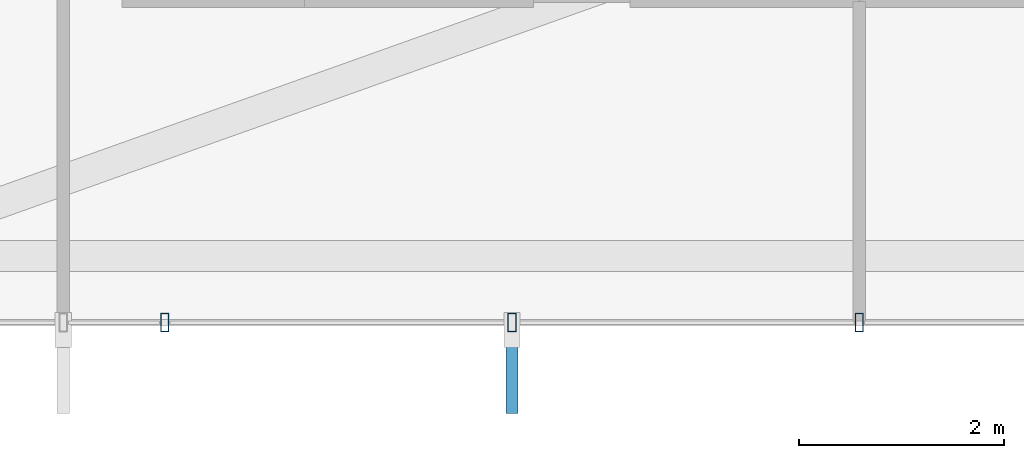
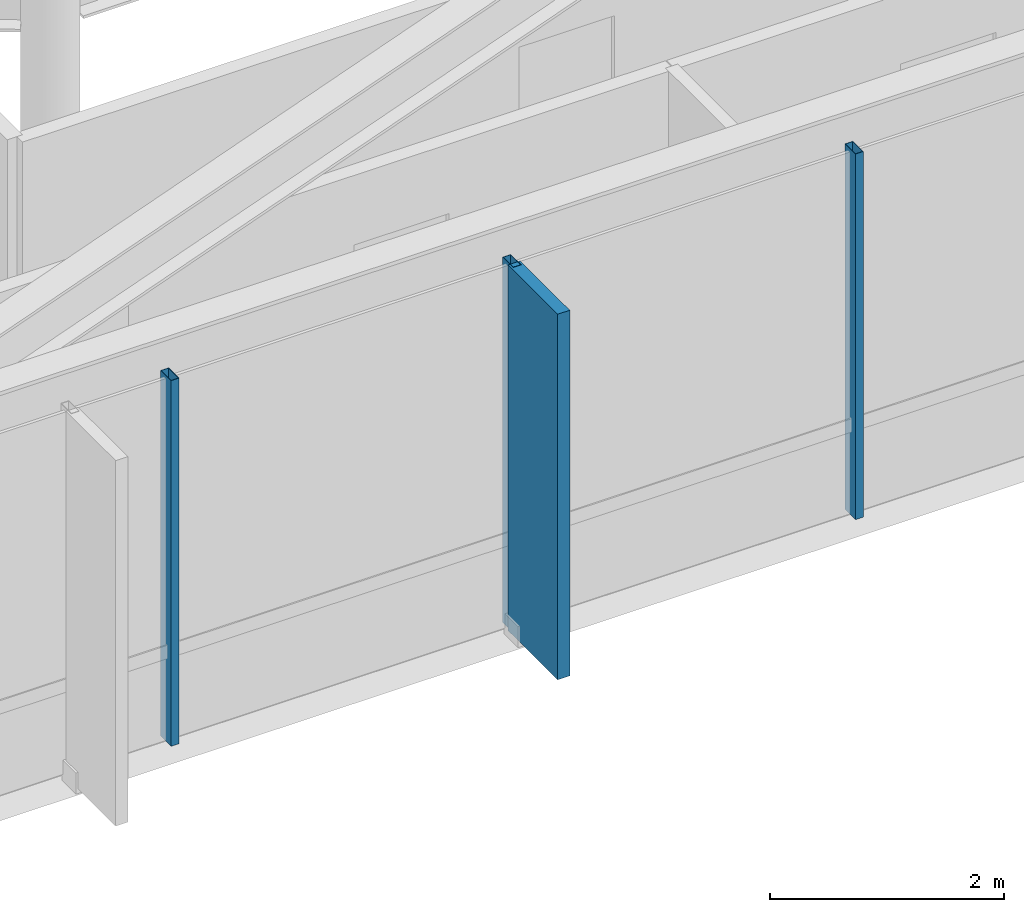
# One storey, part 6 of 24: 4 members, 1 element without a shape of its own.
"""IFC4 building model written with IfcOpenShell, lengths in metres."""

import ifcopenshell
import ifcopenshell.guid

model = None  # the IFC model being written
_history = None  # IfcOwnerHistory: only IFC2X3 demands one
_inside = {}  # id of a spatial element -> (the spatial element, [elements in it])
_under = {}  # id of a project, library or spatial element -> (it, [spatial elements below it])
_declared = {}  # id of a project -> (the project, [libraries it declares])
_typed = {}  # id of a type object -> (the type object, [elements of that type])
_made_of = {}  # id of a material, layer set ... -> (it, [elements and type objects made of it])


def new_model(schema):
    """Start an empty IFC model of exactly this schema.

    Asked for "IFC4X3", IfcOpenShell would pick the latest addendum, in which some entities
    have other attributes; the version numbers below select the first issue.
    IFC2X3 requires an IfcOwnerHistory on every rooted entity: one is made here for all.
    """
    global model, _history
    if schema == "IFC4X3":
        model = ifcopenshell.file(schema_version=(4, 3, 0, 0))
    else:
        model = ifcopenshell.file(schema=schema)
    _inside.clear()
    _under.clear()
    _declared.clear()
    _typed.clear()
    _made_of.clear()
    _history = None
    if model.schema == "IFC2X3":
        org = make("IfcOrganization", Name="unknown")
        user = make(
            "IfcPersonAndOrganization",
            ThePerson=make("IfcPerson", FamilyName="unknown"),
            TheOrganization=org,
        )
        app = make(
            "IfcApplication",
            ApplicationDeveloper=org,
            Version="unknown",
            ApplicationFullName="unknown",
            ApplicationIdentifier="unknown",
        )
        _history = make(
            "IfcOwnerHistory",
            OwningUser=user,
            OwningApplication=app,
            ChangeAction="ADDED",
            CreationDate=0,
        )
    return model


def make(cls, **values):
    """One entity of the class cls with the attributes given. An attribute that is None is left unset."""
    return model.create_entity(
        cls, **{name: value for name, value in values.items() if value is not None}
    )


def rooted(cls, **values):
    """An entity with a GlobalId (a new one), such as an element, a storey or a relation."""
    return make(cls, GlobalId=ifcopenshell.guid.new(), OwnerHistory=_history, **values)


def si_unit(unit_type, name, prefix=None):
    """IfcSIUnit, for example si_unit("LENGTHUNIT", "METRE", prefix="MILLI")."""
    return make("IfcSIUnit", UnitType=unit_type, Prefix=prefix, Name=name)


def assignment(units):
    """IfcUnitAssignment: the units of a project."""
    return None if units is None else make("IfcUnitAssignment", Units=units)


def point(xyz):
    """IfcCartesianPoint."""
    return None if xyz is None else make("IfcCartesianPoint", Coordinates=xyz)


def direction(xyz):
    """IfcDirection."""
    return None if xyz is None else make("IfcDirection", DirectionRatios=xyz)


def frame(location, z_axis=None, x_axis=None):
    """IfcAxis2Placement3D, a coordinate frame: its origin and axes. An axis left out is left unset."""
    return make(
        "IfcAxis2Placement3D",
        Location=point(location),
        Axis=direction(z_axis),
        RefDirection=direction(x_axis),
    )


def frame_2d(location, x_axis=None):
    """IfcAxis2Placement2D, a coordinate frame in the plane: its origin and x axis."""
    return make(
        "IfcAxis2Placement2D", Location=point(location), RefDirection=direction(x_axis)
    )


def origin():
    """The frame at (0, 0, 0) with its axes left unset."""
    return frame((0.0, 0.0, 0.0))


def origin_2d():
    """The frame at (0, 0) in the plane with its x axis left unset."""
    return frame_2d((0.0, 0.0))


def place(relative_to, where):
    """IfcLocalPlacement: puts the frame where relative to a parent placement (None: the world)."""
    return make(
        "IfcLocalPlacement", PlacementRelTo=relative_to, RelativePlacement=where
    )


def context(
    kind, dimensions, precision=None, world=None, true_north=None, identifier=None
):
    """IfcGeometricRepresentationContext, for example the 3D "Model" context."""
    return make(
        "IfcGeometricRepresentationContext",
        ContextIdentifier=identifier,
        ContextType=kind,
        CoordinateSpaceDimension=dimensions,
        Precision=precision,
        WorldCoordinateSystem=world,
        TrueNorth=true_north,
    )


def subcontext(parent, identifier, kind, view, scale=None):
    """IfcGeometricRepresentationSubContext, for example "Body" below "Model"."""
    return make(
        "IfcGeometricRepresentationSubContext",
        ContextIdentifier=identifier,
        ContextType=kind,
        ParentContext=parent,
        TargetScale=scale,
        TargetView=view,
    )


def project(units=None, contexts=None):
    """IfcProject with its units and contexts."""
    return rooted(
        "IfcProject",
        Name="project",
        RepresentationContexts=contexts,
        UnitsInContext=assignment(units),
    )


def spatial(cls, under=None, at=None, **own):
    """A site, building, storey or space (cls), placed at a placement, below another one or the project."""
    s = rooted(cls, ObjectPlacement=at, **own)
    if under is not None:
        _under.setdefault(under.id(), (under, []))[1].append(s)
    return s


def profile(cls, at=None, kind="AREA", **sizes):
    """A parametric profile (cls). Its sizes go by their IFC names, for example OverallWidth=200.0."""
    return make(cls, ProfileType=kind, Position=at, **sizes)


def rectangle(**sizes):
    """IfcRectangleProfileDef."""
    return profile("IfcRectangleProfileDef", **sizes)


def hollow_rectangle(**sizes):
    """IfcRectangleHollowProfileDef."""
    return profile("IfcRectangleHollowProfileDef", **sizes)


def extrude(swept, where, along, depth):
    """IfcExtrudedAreaSolid: the profile swept, set in the frame where, extruded along a direction by depth."""
    return make(
        "IfcExtrudedAreaSolid",
        SweptArea=swept,
        Position=where,
        ExtrudedDirection=direction(along),
        Depth=depth,
    )


def shape(context_of_items, identifier, shape_type, items):
    """IfcShapeRepresentation: the items that make up one representation, for example the "Body"."""
    return make(
        "IfcShapeRepresentation",
        ContextOfItems=context_of_items,
        RepresentationIdentifier=identifier,
        RepresentationType=shape_type,
        Items=items,
    )


def material(Name=None, Category=None):
    """IfcMaterial."""
    return make("IfcMaterial", Name=Name, Category=Category)


def layer(
    of_material, thickness, ventilated=None, Name=None, Category=None, Priority=None
):
    """IfcMaterialLayer: one layer of a wall or slab, of a material (None: an air gap)."""
    return make(
        "IfcMaterialLayer",
        Material=of_material,
        LayerThickness=thickness,
        IsVentilated=ventilated,
        Name=Name,
        Category=Category,
        Priority=Priority,
    )


def layer_set(layers, Name=None):
    """IfcMaterialLayerSet."""
    return make("IfcMaterialLayerSet", MaterialLayers=layers, LayerSetName=Name)


def material_profile(
    of_material, cross_section, Name=None, Category=None, Priority=None
):
    """IfcMaterialProfile: a cross section and its material."""
    return make(
        "IfcMaterialProfile",
        Name=Name,
        Material=of_material,
        Profile=cross_section,
        Priority=Priority,
        Category=Category,
    )


def profile_set(profiles, Name=None, composite=None):
    """IfcMaterialProfileSet."""
    return make(
        "IfcMaterialProfileSet",
        Name=Name,
        MaterialProfiles=profiles,
        CompositeProfile=composite,
    )


def made_of(thing, what):
    """Note that an element or type object is made of a material, layer set ...; save() writes the relation."""
    if what is not None:
        _made_of.setdefault(what.id(), (what, []))[1].append(thing)
    return thing


def type_object(cls, material=None, **own):
    """A type object (cls), such as IfcWallType, which elements share."""
    return made_of(rooted(cls, **own), material)


def element(
    cls,
    number,
    at=None,
    inside=None,
    cuts=None,
    type_object=None,
    material=None,
    context=None,
    identifier="Body",
    shape_type=None,
    held_by="IfcProductDefinitionShape",
    body=None,
    shapes=None,
    **own,
):
    """One element of the class cls, such as IfcWall. Its Tag is "e" and its number.

    at: its placement. inside: the storey or other place that contains it. cuts: it is an
    opening in that element (IfcRelVoidsElement). A single representation is given by context,
    identifier, shape_type and body (its items); several are given by shapes. held_by: the class
    of the entity that holds the representations. save() writes the other relations.
    """
    e = rooted(cls, Tag="e%d" % number, ObjectPlacement=at, **own)
    if body is not None:
        shapes = [shape(context, identifier, shape_type, body)]
    if shapes is not None:
        e.Representation = make(held_by, Representations=shapes)
    if inside is not None:
        _inside.setdefault(inside.id(), (inside, []))[1].append(e)
    if cuts is not None:
        rooted(
            "IfcRelVoidsElement", RelatingBuildingElement=cuts, RelatedOpeningElement=e
        )
    if type_object is not None:
        _typed.setdefault(type_object.id(), (type_object, []))[1].append(e)
    return made_of(e, material)


def aggregate(whole, parts):
    """IfcRelAggregates: a whole, such as a stair, and the parts it consists of."""
    return rooted("IfcRelAggregates", RelatingObject=whole, RelatedObjects=parts)


def save(model, path):
    """Write the relations noted so far, then the file.

    IfcRelAggregates (storeys below a building ...), IfcRelContainedInSpatialStructure (elements
    in a storey), IfcRelDefinesByType, IfcRelAssociatesMaterial and IfcRelDeclares: one each for
    every whole, place, type object, material and project.
    """
    for whole, parts in _under.values():
        aggregate(whole, parts)
    for where, things in _inside.values():
        rooted(
            "IfcRelContainedInSpatialStructure",
            RelatedElements=things,
            RelatingStructure=where,
        )
    for kind, things in _typed.values():
        rooted("IfcRelDefinesByType", RelatedObjects=things, RelatingType=kind)
    for what, things in _made_of.values():
        rooted("IfcRelAssociatesMaterial", RelatedObjects=things, RelatingMaterial=what)
    for by, libraries in _declared.values():
        rooted("IfcRelDeclares", RelatingContext=by, RelatedDefinitions=libraries)
    model.write(path)


model = new_model("IFC4")

# Units and contexts
model_context = context("Model", 3, precision=1e-05, world=origin(), true_north=direction((0.0, 1.0)))
body_context = subcontext(model_context, "Body", "Model", "MODEL_VIEW")
ifc_project = project(units=[si_unit("LENGTHUNIT", "METRE"), si_unit("AREAUNIT", "SQUARE_METRE"), si_unit("VOLUMEUNIT", "CUBIC_METRE"), si_unit("PLANEANGLEUNIT", "RADIAN"), si_unit("MASSUNIT", "GRAM", prefix="KILO")], contexts=[model_context])

# Site, building, storey
site_placement = place(None, origin())
site = spatial("IfcSite", under=ifc_project, at=site_placement, CompositionType="ELEMENT")
building_placement = place(site_placement, origin())
building = spatial("IfcBuilding", under=site, at=building_placement, Name="Zarrinselat Tower", CompositionType="ELEMENT")
storey_placement = place(building_placement, frame((0.0, 0.0, 72.419921875)))
storey = spatial("IfcBuildingStorey", under=building, at=storey_placement, Name="L17", CompositionType="ELEMENT", Elevation=72.419921875)

# Curtain wall, members
ifc_material_1 = material(Name="Extruded Aluminium Alloy EN AW-6063 T6", Category="aluminium")
ifc_layer = layer(ifc_material_1, 0.18505859375)
ifc_layer_set = layer_set([ifc_layer], Name="Extruded Aluminium Alloy EN AW-6063 T6")
curtain_wall_type = type_object("IfcCurtainWallType", Name="CWS-OFF", PredefinedType="NOTDEFINED", material=ifc_layer_set)
curtain_wall_placement = place(storey_placement, origin())
curtain_wall = element("IfcCurtainWall", 1, at=curtain_wall_placement, inside=storey, type_object=curtain_wall_type, Name="L17 Unitised Curtain Wall CW-L17-E04", PredefinedType="NOTDEFINED")
ifc_material_2 = material(Name="Extruded Aluminium Alloy EN AW-6063 T6", Category="aluminium")
ifc_material_profile_1 = material_profile(ifc_material_2, hollow_rectangle(XDim=0.080078125, YDim=0.179931640625, WallThickness=0.0048828125, at=origin_2d()), Name="RHS 180x80x5")
ifc_profile_set_1 = profile_set([ifc_material_profile_1], Name="Extruded Aluminium Alloy EN AW-6063 T6")
member_type_1 = type_object("IfcMemberType", Name="MEM-CW-MUL", PredefinedType="MULLION", material=ifc_profile_set_1)
member_1_placement = place(storey_placement, frame((31.636474609375, 18.60498046875, 0.0), z_axis=(0.0, 0.0, 1.0), x_axis=(1.0, 0.0, 0.0)))
member_1 = element("IfcMember", 2, at=member_1_placement, type_object=member_type_1, Name="CW-L17-E04 Mullion 2", PredefinedType="MULLION", context=body_context, shape_type="SweptSolid", body=[
    extrude(hollow_rectangle(XDim=0.080078125, YDim=0.179931640625, WallThickness=0.0048828125, at=origin_2d()), origin(), (0.0, 0.0, 1.0), 3.820068359375),
])
member_2_placement = place(storey_placement, frame((35.018310546875, 18.60498046875, 0.0), z_axis=(0.0, 0.0, 1.0), x_axis=(1.0, 0.0, 0.0)))
member_2 = element("IfcMember", 3, at=member_2_placement, type_object=member_type_1, Name="CW-L17-E04 Mullion 3", PredefinedType="MULLION", context=body_context, shape_type="SweptSolid", body=[
    extrude(hollow_rectangle(XDim=0.080078125, YDim=0.179931640625, WallThickness=0.0048828125, at=origin_2d()), origin(), (0.0, 0.0, 1.0), 3.820068359375),
])
member_3_placement = place(storey_placement, frame((38.39990234375, 18.60498046875, 0.0), z_axis=(0.0, 0.0, 1.0), x_axis=(1.0, 0.0, 0.0)))
member_3 = element("IfcMember", 4, at=member_3_placement, type_object=member_type_1, Name="CW-L17-E04 Mullion 4", PredefinedType="MULLION", context=body_context, shape_type="SweptSolid", body=[
    extrude(hollow_rectangle(XDim=0.080078125, YDim=0.179931640625, WallThickness=0.0048828125, at=origin_2d()), origin(), (0.0, 0.0, 1.0), 3.820068359375),
])
ifc_material_3 = material(Name="Honed Cream Travertine Stone", Category="masonry")
ifc_material_profile_2 = material_profile(ifc_material_3, rectangle(XDim=0.1201171875, YDim=0.85009765625, at=origin_2d()), Name="FIN 850x120")
ifc_profile_set_2 = profile_set([ifc_material_profile_2], Name="Honed Cream Travertine Stone")
member_type_2 = type_object("IfcMemberType", Name="MEM-STONE-FIN", PredefinedType="USERDEFINED", material=ifc_profile_set_2)
member_4_placement = place(storey_placement, frame((35.018310546875, 18.14501953125, 0.0), z_axis=(0.0, 0.0, 1.0), x_axis=(-1.0, 0.0, 0.0)))
member_4 = element("IfcMember", 5, at=member_4_placement, type_object=member_type_2, Name="L17 Stone Shading Fin CW-L17-E04-03", ObjectType="FIN", PredefinedType="USERDEFINED", context=body_context, shape_type="SweptSolid", body=[
    extrude(rectangle(XDim=0.1201171875, YDim=0.85009765625, at=origin_2d()), origin(), (0.0, 0.0, 1.0), 3.820068359375),
])
aggregate(curtain_wall, [member_1, member_2, member_4, member_3])

save(model, "model.ifc")
